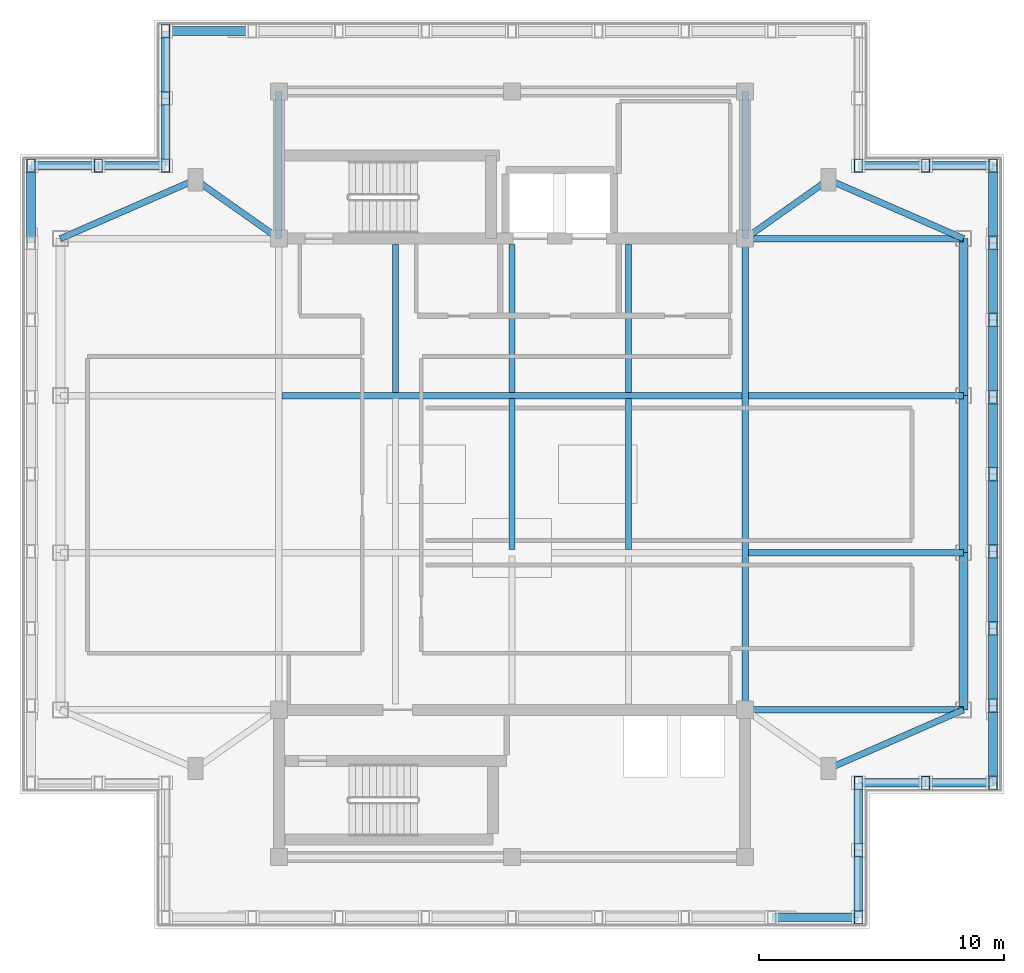
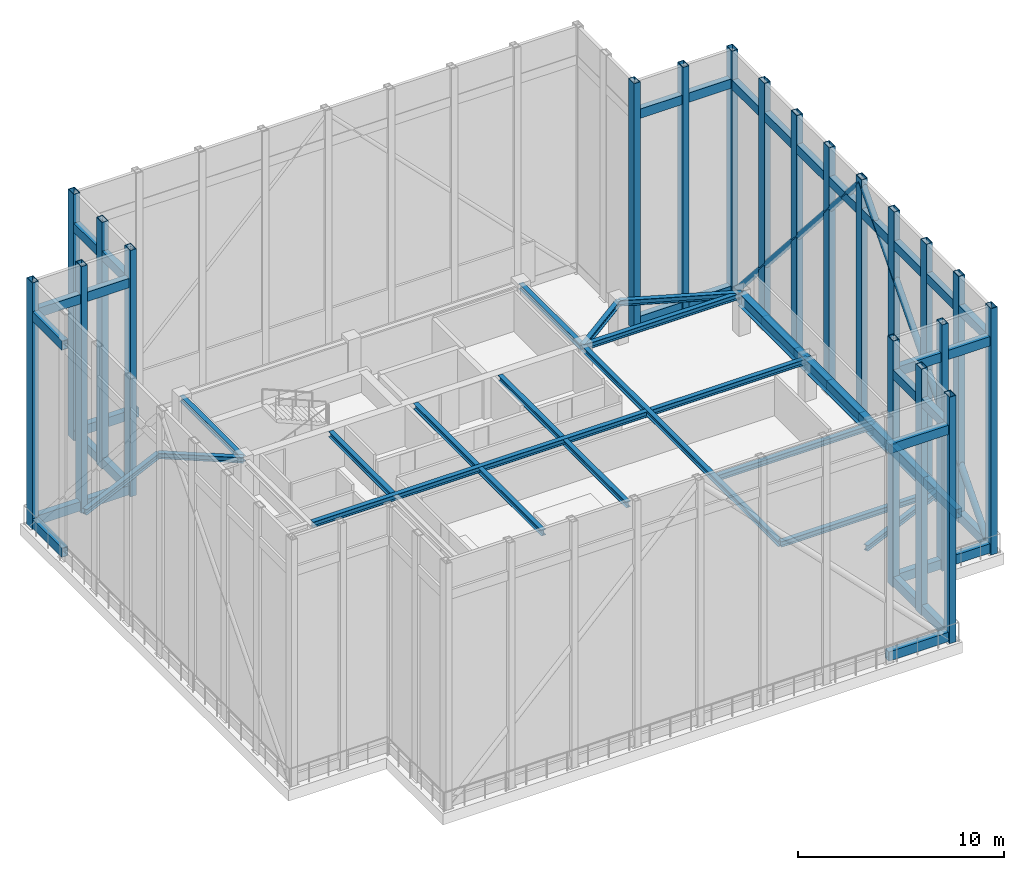
# One storey, part 2 of 8: 63 members, 21 beams.
"""IFC4 building model written with IfcOpenShell, lengths in metres."""

from ifc_helpers import new_model, si_unit, direction, frame, origin, origin_2d, place, context, subcontext, project, spatial, hollow_rectangle, hollow_circle, i_section, extrude, material, material_profile, profile_set, type_object, element, save


model = new_model("IFC4")

# Units and contexts
model_context = context("Model", 3, precision=1e-05, world=origin(), true_north=direction((0.0, 1.0)))
body_context = subcontext(model_context, "Body", "Model", "MODEL_VIEW")
ifc_project = project(units=[si_unit("LENGTHUNIT", "METRE"), si_unit("AREAUNIT", "SQUARE_METRE"), si_unit("VOLUMEUNIT", "CUBIC_METRE"), si_unit("PLANEANGLEUNIT", "RADIAN"), si_unit("MASSUNIT", "GRAM", prefix="KILO")], contexts=[model_context])

# Site, building, storey
site_placement = place(None, origin())
site = spatial("IfcSite", under=ifc_project, at=site_placement, CompositionType="ELEMENT")
building_placement = place(site_placement, origin())
building = spatial("IfcBuilding", under=site, at=building_placement, Name="Mirazonda Arch Towers", CompositionType="ELEMENT")
storey_placement = place(building_placement, frame((0.0, 0.0, 263.5)))
storey = spatial("IfcBuildingStorey", under=building, at=storey_placement, Name="L75", CompositionType="ELEMENT", Elevation=263.5)

# Beams
ifc_material_1 = material(Name="Steel ASTM A992 Grade 50", Category="steel")
ifc_material_profile_1 = material_profile(ifc_material_1, i_section(OverallWidth=0.381103515625, OverallDepth=0.77294921875, WebThickness=0.0166015625, FlangeThickness=0.027099609375, at=origin_2d()), Name="W30X173")
ifc_profile_set_1 = profile_set([ifc_material_profile_1], Name="Steel ASTM A992 Grade 50")
beam_type_1 = type_object("IfcBeamType", Name="BM-EXT-W30X173", PredefinedType="USERDEFINED", material=ifc_profile_set_1)
beam_1_placement = place(storey_placement, frame((38.89990234375, 18.39990234375, 1.993408203125), z_axis=(0.0, 1.0, 0.0), x_axis=(-1.0, 0.0, 0.0)))
element("IfcBeam", 1, at=beam_1_placement, inside=storey, type_object=beam_type_1, Name="L75 Floor Beam BMC-T1-L75-NS-E-18", ObjectType="GIRDER", PredefinedType="USERDEFINED", context=body_context, shape_type="SweptSolid", body=[
    extrude(i_section(OverallWidth=0.381103515625, OverallDepth=0.77294921875, WebThickness=0.0166015625, FlangeThickness=0.027099609375, at=origin_2d()), origin(), (0.0, 0.0, 1.0), 6.400146484375),
])
beam_2_placement = place(storey_placement, frame((38.89990234375, 24.800048828125, 1.993408203125), z_axis=(0.0, 1.0, 0.0), x_axis=(-1.0, 0.0, 0.0)))
element("IfcBeam", 2, at=beam_2_placement, inside=storey, type_object=beam_type_1, Name="L75 Floor Beam BMC-T1-L75-NS-E-24", ObjectType="GIRDER", PredefinedType="USERDEFINED", context=body_context, shape_type="SweptSolid", body=[
    extrude(i_section(OverallWidth=0.381103515625, OverallDepth=0.77294921875, WebThickness=0.0166015625, FlangeThickness=0.027099609375, at=origin_2d()), origin(), (0.0, 0.0, 1.0), 6.39990234375),
])
beam_3_placement = place(storey_placement, frame((38.89990234375, 31.199951171875, 1.993408203125), z_axis=(0.0, 1.0, 0.0), x_axis=(-1.0, 0.0, 0.0)))
element("IfcBeam", 3, at=beam_3_placement, inside=storey, type_object=beam_type_1, Name="L75 Floor Beam BMC-T1-L75-NS-E-31", ObjectType="GIRDER", PredefinedType="USERDEFINED", context=body_context, shape_type="SweptSolid", body=[
    extrude(i_section(OverallWidth=0.381103515625, OverallDepth=0.77294921875, WebThickness=0.0166015625, FlangeThickness=0.027099609375, at=origin_2d()), origin(), (0.0, 0.0, 1.0), 6.400146484375),
])
ifc_material_profile_2 = material_profile(ifc_material_1, i_section(OverallWidth=0.257080078125, OverallDepth=0.330078125, WebThickness=0.011962890625, FlangeThickness=0.01953125, at=origin_2d()), Name="W10X68")
ifc_profile_set_2 = profile_set([ifc_material_profile_2], Name="Steel ASTM A992 Grade 50")
beam_type_2 = type_object("IfcBeamType", Name="BM-INT-W10X68", PredefinedType="BEAM", material=ifc_profile_set_2)
for number, where, z_axis, x_axis, name in (
    (4, (30.0, 37.60009765625, 2.215087890625), (1.0, 0.0, 0.0), (0.0, 1.0, 0.0), "L75 Floor Beam CBC-T1-L75-NE"),
    (5, (30.0, 18.39990234375, 2.215087890625), (1.0, 0.0, 0.0), (0.0, 1.0, 0.0), "L75 Floor Beam CBC-T1-L75-SE"),
):
    element("IfcBeam", number, at=place(storey_placement, frame(where, z_axis=z_axis, x_axis=x_axis)), inside=storey, type_object=beam_type_2, Name=name, PredefinedType="BEAM", context=body_context, shape_type="SweptSolid", body=[
        extrude(i_section(OverallWidth=0.257080078125, OverallDepth=0.330078125, WebThickness=0.011962890625, FlangeThickness=0.01953125, at=origin_2d()), origin(), (0.0, 0.0, 1.0), 8.89990234375),
    ])
beam_4_placement = place(storey_placement, frame((30.12841796875, 24.800048828125, 2.215087890625), z_axis=(1.0, 0.0, 0.0), x_axis=(0.0, 1.0, 0.0)))
element("IfcBeam", 6, at=beam_4_placement, inside=storey, type_object=beam_type_2, Name="L75 Floor Beam BMC-T1-L75-GE2", PredefinedType="BEAM", context=body_context, shape_type="SweptSolid", body=[
    extrude(i_section(OverallWidth=0.257080078125, OverallDepth=0.330078125, WebThickness=0.011962890625, FlangeThickness=0.01953125, at=origin_2d()), origin(), (0.0, 0.0, 1.0), 8.771484375),
])
beam_5_placement = place(storey_placement, frame((11.12841796875, 31.199951171875, 2.215087890625), z_axis=(1.0, 0.0, 0.0), x_axis=(0.0, 1.0, 0.0)))
element("IfcBeam", 7, at=beam_5_placement, inside=storey, type_object=beam_type_2, Name="L75 Floor Beam BMC-T1-L75-GC3", PredefinedType="BEAM", context=body_context, shape_type="SweptSolid", body=[
    extrude(i_section(OverallWidth=0.257080078125, OverallDepth=0.330078125, WebThickness=0.011962890625, FlangeThickness=0.01953125, at=origin_2d()), origin(), (0.0, 0.0, 1.0), 18.7431640625),
])
beam_6_placement = place(storey_placement, frame((30.12841796875, 31.199951171875, 2.215087890625), z_axis=(1.0, 0.0, 0.0), x_axis=(0.0, 1.0, 0.0)))
element("IfcBeam", 8, at=beam_6_placement, inside=storey, type_object=beam_type_2, Name="L75 Floor Beam BMC-T1-L75-GE3", PredefinedType="BEAM", context=body_context, shape_type="SweptSolid", body=[
    extrude(i_section(OverallWidth=0.257080078125, OverallDepth=0.330078125, WebThickness=0.011962890625, FlangeThickness=0.01953125, at=origin_2d()), origin(), (0.0, 0.0, 1.0), 8.771484375),
])
for number, where, z_axis, x_axis, name in (
    (9, (11.0, 37.60009765625, 2.215087890625), (0.0, 1.0, 0.0), (-1.0, 0.0, 0.0), "L75 Floor Beam BMC-T1-L75-CNW"),
    (10, (30.0, 37.60009765625, 2.215087890625), (0.0, 1.0, 0.0), (-1.0, 0.0, 0.0), "L75 Floor Beam BMC-T1-L75-CNE"),
):
    element("IfcBeam", number, at=place(storey_placement, frame(where, z_axis=z_axis, x_axis=x_axis)), inside=storey, type_object=beam_type_2, Name=name, PredefinedType="BEAM", context=body_context, shape_type="SweptSolid", body=[
        extrude(i_section(OverallWidth=0.257080078125, OverallDepth=0.330078125, WebThickness=0.011962890625, FlangeThickness=0.01953125, at=origin_2d()), origin(), (0.0, 0.0, 1.0), 6.0),
    ])
beam_7_placement = place(storey_placement, frame((30.0, 18.39990234375, 2.215087890625), z_axis=(0.0, 1.0, 0.0), x_axis=(-1.0, 0.0, 0.0)))
element("IfcBeam", 11, at=beam_7_placement, inside=storey, type_object=beam_type_2, Name="L75 Floor Beam BMC-T1-L75-NS-CE-FULL", PredefinedType="BEAM", context=body_context, shape_type="SweptSolid", body=[
    extrude(i_section(OverallWidth=0.257080078125, OverallDepth=0.330078125, WebThickness=0.011962890625, FlangeThickness=0.01953125, at=origin_2d()), origin(), (0.0, 0.0, 1.0), 19.2001953125),
])
beam_8_placement = place(storey_placement, frame((33.39990234375, 16.0, 2.215087890625), z_axis=(0.916545343703, 0.399930785183, 0.0), x_axis=(-0.399930785183, 0.916545343703, 0.0)))
element("IfcBeam", 12, at=beam_8_placement, inside=storey, type_object=beam_type_2, Name="L75 Floor Beam BMC-T1-L75-PL-SE2", PredefinedType="BEAM", context=body_context, shape_type="SweptSolid", body=[
    extrude(i_section(OverallWidth=0.257080078125, OverallDepth=0.330078125, WebThickness=0.011962890625, FlangeThickness=0.01953125, at=origin_2d()), origin(), (0.0, 0.0, 1.0), 6.000732421875),
])
beam_9_placement = place(storey_placement, frame((7.60009765625, 40.0, 2.215087890625), z_axis=(0.816971114901, -0.576678591087, 0.0), x_axis=(0.576678591087, 0.816971114901, 0.0)))
element("IfcBeam", 13, at=beam_9_placement, inside=storey, type_object=beam_type_2, Name="L75 Floor Beam BMC-T1-L75-PL-NW1", PredefinedType="BEAM", context=body_context, shape_type="SweptSolid", body=[
    extrude(i_section(OverallWidth=0.257080078125, OverallDepth=0.330078125, WebThickness=0.011962890625, FlangeThickness=0.01953125, at=origin_2d()), origin(), (0.0, 0.0, 1.0), 4.16162109375),
])
beam_10_placement = place(storey_placement, frame((7.60009765625, 40.0, 2.215087890625), z_axis=(-0.916545343703, -0.399930785183, 0.0), x_axis=(0.399930785183, -0.916545343703, 0.0)))
element("IfcBeam", 14, at=beam_10_placement, inside=storey, type_object=beam_type_2, Name="L75 Floor Beam BMC-T1-L75-PL-NW2", PredefinedType="BEAM", context=body_context, shape_type="SweptSolid", body=[
    extrude(i_section(OverallWidth=0.257080078125, OverallDepth=0.330078125, WebThickness=0.011962890625, FlangeThickness=0.01953125, at=origin_2d()), origin(), (0.0, 0.0, 1.0), 6.000732421875),
])
beam_11_placement = place(storey_placement, frame((33.39990234375, 40.0, 2.215087890625), z_axis=(-0.816971114901, -0.576678591087, 0.0), x_axis=(0.576678591087, -0.816971114901, 0.0)))
element("IfcBeam", 15, at=beam_11_placement, inside=storey, type_object=beam_type_2, Name="L75 Floor Beam BMC-T1-L75-PL-NE1", PredefinedType="BEAM", context=body_context, shape_type="SweptSolid", body=[
    extrude(i_section(OverallWidth=0.257080078125, OverallDepth=0.330078125, WebThickness=0.011962890625, FlangeThickness=0.01953125, at=origin_2d()), origin(), (0.0, 0.0, 1.0), 4.16162109375),
])
beam_12_placement = place(storey_placement, frame((33.39990234375, 40.0, 2.215087890625), z_axis=(0.916545343703, -0.399930785183, 0.0), x_axis=(0.399930785183, 0.916545343703, 0.0)))
element("IfcBeam", 16, at=beam_12_placement, inside=storey, type_object=beam_type_2, Name="L75 Floor Beam BMC-T1-L75-PL-NE2", PredefinedType="BEAM", context=body_context, shape_type="SweptSolid", body=[
    extrude(i_section(OverallWidth=0.257080078125, OverallDepth=0.330078125, WebThickness=0.011962890625, FlangeThickness=0.01953125, at=origin_2d()), origin(), (0.0, 0.0, 1.0), 6.000732421875),
])
for number, where, z_axis, x_axis, name in (
    (17, (15.75, 31.324462890625, 2.215087890625), (0.0, 1.0, 0.0), (-1.0, 0.0, 0.0), "L75 Floor Beam BMC-T1-L75-J-157-31"),
    (18, (20.5, 31.324462890625, 2.215087890625), (0.0, 1.0, 0.0), (-1.0, 0.0, 0.0), "L75 Floor Beam BMC-T1-L75-J-205-31"),
):
    element("IfcBeam", number, at=place(storey_placement, frame(where, z_axis=z_axis, x_axis=x_axis)), inside=storey, type_object=beam_type_2, Name=name, PredefinedType="BEAM", context=body_context, shape_type="SweptSolid", body=[
        extrude(i_section(OverallWidth=0.257080078125, OverallDepth=0.330078125, WebThickness=0.011962890625, FlangeThickness=0.01953125, at=origin_2d()), origin(), (0.0, 0.0, 1.0), 6.03564453125),
    ])
beam_13_placement = place(storey_placement, frame((20.5, 24.924560546875, 2.215087890625), z_axis=(0.0, 1.0, 0.0), x_axis=(-1.0, 0.0, 0.0)))
element("IfcBeam", 19, at=beam_13_placement, inside=storey, type_object=beam_type_2, Name="L75 Floor Beam BMC-T1-L75-J-205-24", PredefinedType="BEAM", context=body_context, shape_type="SweptSolid", body=[
    extrude(i_section(OverallWidth=0.257080078125, OverallDepth=0.330078125, WebThickness=0.011962890625, FlangeThickness=0.01953125, at=origin_2d()), origin(), (0.0, 0.0, 1.0), 6.15087890625),
])
beam_14_placement = place(storey_placement, frame((25.25, 31.324462890625, 2.215087890625), z_axis=(0.0, 1.0, 0.0), x_axis=(-1.0, 0.0, 0.0)))
element("IfcBeam", 20, at=beam_14_placement, inside=storey, type_object=beam_type_2, Name="L75 Floor Beam BMC-T1-L75-J-252-31", PredefinedType="BEAM", context=body_context, shape_type="SweptSolid", body=[
    extrude(i_section(OverallWidth=0.257080078125, OverallDepth=0.330078125, WebThickness=0.011962890625, FlangeThickness=0.01953125, at=origin_2d()), origin(), (0.0, 0.0, 1.0), 6.03564453125),
])
beam_15_placement = place(storey_placement, frame((25.25, 24.924560546875, 2.215087890625), z_axis=(0.0, 1.0, 0.0), x_axis=(-1.0, 0.0, 0.0)))
element("IfcBeam", 21, at=beam_15_placement, inside=storey, type_object=beam_type_2, Name="L75 Floor Beam BMC-T1-L75-J-252-24", PredefinedType="BEAM", context=body_context, shape_type="SweptSolid", body=[
    extrude(i_section(OverallWidth=0.257080078125, OverallDepth=0.330078125, WebThickness=0.011962890625, FlangeThickness=0.01953125, at=origin_2d()), origin(), (0.0, 0.0, 1.0), 6.15087890625),
])

# Members
ifc_material_2 = material(Name="Steel ASTM A572 Grade 50", Category="steel")
ifc_material_profile_3 = material_profile(ifc_material_2, hollow_circle(Radius=0.177978515625, WallThickness=0.01611328125, at=origin_2d()), Name="CROWNBRACE356x16CHS")
ifc_profile_set_3 = profile_set([ifc_material_profile_3], Name="Steel ASTM A572 Grade 50")
member_type_1 = type_object("IfcMemberType", Name="MBR-EXT-CROWNBRACE356x16CHS", PredefinedType="BRACE", material=ifc_profile_set_3)
for number, where, z_axis, x_axis, name in (
    (22, (40.10009765625, 15.425048828125, 0.02001953125), (0.0, 0.66035877839, 0.750950253881), (-1.0, 0.0, 0.0), "T1 Ring Crown Diagonal Brace 2A"),
    (23, (40.10009765625, 40.574951171875, 0.02001953125), (0.0, -0.66035877839, 0.750950253881), (1.0, 0.0, 0.0), "T1 Ring Crown Diagonal Brace 2B"),
):
    element("IfcMember", number, at=place(storey_placement, frame(where, z_axis=z_axis, x_axis=x_axis)), inside=storey, type_object=member_type_1, Name=name, PredefinedType="BRACE", context=body_context, shape_type="SweptSolid", body=[
        extrude(hollow_circle(Radius=0.177978515625, WallThickness=0.01611328125, at=origin_2d()), origin(), (0.0, 0.0, 1.0), 19.042724609375),
    ])
ifc_material_profile_4 = material_profile(ifc_material_2, hollow_rectangle(XDim=0.35009765625, YDim=0.550048828125, WallThickness=0.030029296875, at=origin_2d()), Name="CROWNFRAME550x350x30")
ifc_profile_set_4 = profile_set([ifc_material_profile_4], Name="Steel ASTM A572 Grade 50")
member_type_2 = type_object("IfcMemberType", Name="MBR-EXT-CROWNFRAME550x350x30", PredefinedType="USERDEFINED", material=ifc_profile_set_4)
for number, where, z_axis, x_axis, name in (
    (24, (34.614990234375, 9.93994140625, 0.0), (0.0, 0.0, 1.0), (1.0, 0.0, 0.0), "T1 Constructivist Ring Crown Post 09"),
    (25, (34.614990234375, 12.6826171875, 0.0), (0.0, 0.0, 1.0), (1.0, 0.0, 0.0), "T1 Constructivist Ring Crown Post 10"),
    (26, (34.614990234375, 15.425048828125, 0.0), (0.0, 0.0, 1.0), (1.0, 0.0, 0.0), "T1 Constructivist Ring Crown Post 11"),
    (27, (37.357421875, 15.425048828125, 0.0), (0.0, 0.0, 1.0), (1.0, 0.0, 0.0), "T1 Constructivist Ring Crown Post 12"),
    (28, (40.10009765625, 15.425048828125, 0.0), (0.0, 0.0, 1.0), (1.0, 0.0, 0.0), "T1 Constructivist Ring Crown Post 13"),
    (29, (40.10009765625, 18.56884765625, 0.0), (0.0, 0.0, 1.0), (1.0, 0.0, 0.0), "T1 Constructivist Ring Crown Post 14"),
    (30, (40.10009765625, 21.71240234375, 0.0), (0.0, 0.0, 1.0), (1.0, 0.0, 0.0), "T1 Constructivist Ring Crown Post 15"),
    (31, (40.10009765625, 24.856201171875, 0.0), (0.0, 0.0, 1.0), (1.0, 0.0, 0.0), "T1 Constructivist Ring Crown Post 16"),
    (32, (40.10009765625, 28.0, 0.0), (0.0, 0.0, 1.0), (1.0, 0.0, 0.0), "T1 Constructivist Ring Crown Post 17"),
    (33, (40.10009765625, 31.143798828125, 0.0), (0.0, 0.0, 1.0), (1.0, 0.0, 0.0), "T1 Constructivist Ring Crown Post 18"),
    (34, (40.10009765625, 34.28759765625, 0.0), (0.0, 0.0, 1.0), (1.0, 0.0, 0.0), "T1 Constructivist Ring Crown Post 19"),
    (35, (40.10009765625, 37.431396484375, 0.0), (0.0, 0.0, 1.0), (1.0, 0.0, 0.0), "T1 Constructivist Ring Crown Post 20"),
    (36, (40.10009765625, 40.574951171875, 0.0), (0.0, 0.0, 1.0), (1.0, 0.0, 0.0), "T1 Constructivist Ring Crown Post 21"),
    (37, (37.357421875, 40.574951171875, 0.0), (0.0, 0.0, 1.0), (1.0, 0.0, 0.0), "T1 Constructivist Ring Crown Post 22"),
    (38, (34.614990234375, 40.574951171875, 0.0), (0.0, 0.0, 1.0), (1.0, 0.0, 0.0), "T1 Constructivist Ring Crown Post 23"),
    (39, (6.385009765625, 46.06005859375, 0.0), (0.0, 0.0, 1.0), (1.0, 0.0, 0.0), "T1 Constructivist Ring Crown Post 33"),
    (40, (6.385009765625, 43.3173828125, 0.0), (0.0, 0.0, 1.0), (1.0, 0.0, 0.0), "T1 Constructivist Ring Crown Post 34"),
    (41, (6.385009765625, 40.574951171875, 0.0), (0.0, 0.0, 1.0), (1.0, 0.0, 0.0), "T1 Constructivist Ring Crown Post 35"),
    (42, (3.642578125, 40.574951171875, 0.0), (0.0, 0.0, 1.0), (1.0, 0.0, 0.0), "T1 Constructivist Ring Crown Post 36"),
    (43, (0.89990234375, 40.574951171875, 0.0), (0.0, 0.0, 1.0), (1.0, 0.0, 0.0), "T1 Constructivist Ring Crown Post 37"),
):
    element("IfcMember", number, at=place(storey_placement, frame(where, z_axis=z_axis, x_axis=x_axis)), inside=storey, type_object=member_type_2, Name=name, ObjectType="CROWN FRAME", PredefinedType="USERDEFINED", context=body_context, shape_type="SweptSolid", body=[
        extrude(hollow_rectangle(XDim=0.35009765625, YDim=0.550048828125, WallThickness=0.030029296875, at=origin_2d()), origin(), (0.0, 0.0, 1.0), 14.60009765625),
    ])
member_1_placement = place(storey_placement, frame((31.086181640625, 9.93994140625, 0.35009765625), z_axis=(1.0, 0.0, 0.0), x_axis=(0.0, 1.0, 0.0)))
element("IfcMember", 44, at=member_1_placement, inside=storey, type_object=member_type_2, Name="T1 Ring Crown Cap Beam 1-08", ObjectType="CROWN FRAME", PredefinedType="USERDEFINED", context=body_context, shape_type="SweptSolid", body=[
    extrude(hollow_rectangle(XDim=0.35009765625, YDim=0.550048828125, WallThickness=0.030029296875, at=origin_2d()), origin(), (0.0, 0.0, 1.0), 3.52880859375),
])
member_2_placement = place(storey_placement, frame((34.614990234375, 9.93994140625, 0.35009765625), z_axis=(0.0, 1.0, 0.0), x_axis=(-1.0, 0.0, 0.0)))
element("IfcMember", 45, at=member_2_placement, inside=storey, type_object=member_type_2, Name="T1 Ring Crown Cap Beam 1-09", ObjectType="CROWN FRAME", PredefinedType="USERDEFINED", context=body_context, shape_type="SweptSolid", body=[
    extrude(hollow_rectangle(XDim=0.35009765625, YDim=0.550048828125, WallThickness=0.030029296875, at=origin_2d()), origin(), (0.0, 0.0, 1.0), 2.74267578125),
])
for number, where, z_axis, x_axis, name in (
    (46, (34.614990234375, 12.6826171875, 0.35009765625), (0.0, 1.0, 0.0), (-1.0, 0.0, 0.0), "T1 Ring Crown Cap Beam 1-10"),
    (47, (34.614990234375, 15.425048828125, 0.35009765625), (1.0, 0.0, 0.0), (0.0, 1.0, 0.0), "T1 Ring Crown Cap Beam 1-11"),
):
    element("IfcMember", number, at=place(storey_placement, frame(where, z_axis=z_axis, x_axis=x_axis)), inside=storey, type_object=member_type_2, Name=name, ObjectType="CROWN FRAME", PredefinedType="USERDEFINED", context=body_context, shape_type="SweptSolid", body=[
        extrude(hollow_rectangle(XDim=0.35009765625, YDim=0.550048828125, WallThickness=0.030029296875, at=origin_2d()), origin(), (0.0, 0.0, 1.0), 2.742431640625),
    ])
member_3_placement = place(storey_placement, frame((37.357421875, 15.425048828125, 0.35009765625), z_axis=(1.0, 0.0, 0.0), x_axis=(0.0, 1.0, 0.0)))
element("IfcMember", 48, at=member_3_placement, inside=storey, type_object=member_type_2, Name="T1 Ring Crown Cap Beam 1-12", ObjectType="CROWN FRAME", PredefinedType="USERDEFINED", context=body_context, shape_type="SweptSolid", body=[
    extrude(hollow_rectangle(XDim=0.35009765625, YDim=0.550048828125, WallThickness=0.030029296875, at=origin_2d()), origin(), (0.0, 0.0, 1.0), 2.74267578125),
])
member_4_placement = place(storey_placement, frame((40.10009765625, 15.425048828125, 0.35009765625), z_axis=(0.0, 1.0, 0.0), x_axis=(-1.0, 0.0, 0.0)))
element("IfcMember", 49, at=member_4_placement, inside=storey, type_object=member_type_2, Name="T1 Ring Crown Cap Beam 1-13", ObjectType="CROWN FRAME", PredefinedType="USERDEFINED", context=body_context, shape_type="SweptSolid", body=[
    extrude(hollow_rectangle(XDim=0.35009765625, YDim=0.550048828125, WallThickness=0.030029296875, at=origin_2d()), origin(), (0.0, 0.0, 1.0), 3.143798828125),
])
member_5_placement = place(storey_placement, frame((40.10009765625, 18.56884765625, 0.35009765625), z_axis=(0.0, 1.0, 0.0), x_axis=(-1.0, 0.0, 0.0)))
element("IfcMember", 50, at=member_5_placement, inside=storey, type_object=member_type_2, Name="T1 Ring Crown Cap Beam 1-14", ObjectType="CROWN FRAME", PredefinedType="USERDEFINED", context=body_context, shape_type="SweptSolid", body=[
    extrude(hollow_rectangle(XDim=0.35009765625, YDim=0.550048828125, WallThickness=0.030029296875, at=origin_2d()), origin(), (0.0, 0.0, 1.0), 3.1435546875),
])
for number, where, z_axis, x_axis, name in (
    (51, (40.10009765625, 21.71240234375, 0.35009765625), (0.0, 1.0, 0.0), (-1.0, 0.0, 0.0), "T1 Ring Crown Cap Beam 1-15"),
    (52, (40.10009765625, 24.856201171875, 0.35009765625), (0.0, 1.0, 0.0), (-1.0, 0.0, 0.0), "T1 Ring Crown Cap Beam 1-16"),
    (53, (40.10009765625, 28.0, 0.35009765625), (0.0, 1.0, 0.0), (-1.0, 0.0, 0.0), "T1 Ring Crown Cap Beam 1-17"),
    (54, (40.10009765625, 31.143798828125, 0.35009765625), (0.0, 1.0, 0.0), (-1.0, 0.0, 0.0), "T1 Ring Crown Cap Beam 1-18"),
    (55, (40.10009765625, 34.28759765625, 0.35009765625), (0.0, 1.0, 0.0), (-1.0, 0.0, 0.0), "T1 Ring Crown Cap Beam 1-19"),
):
    element("IfcMember", number, at=place(storey_placement, frame(where, z_axis=z_axis, x_axis=x_axis)), inside=storey, type_object=member_type_2, Name=name, ObjectType="CROWN FRAME", PredefinedType="USERDEFINED", context=body_context, shape_type="SweptSolid", body=[
        extrude(hollow_rectangle(XDim=0.35009765625, YDim=0.550048828125, WallThickness=0.030029296875, at=origin_2d()), origin(), (0.0, 0.0, 1.0), 3.143798828125),
    ])
member_6_placement = place(storey_placement, frame((40.10009765625, 37.431396484375, 0.35009765625), z_axis=(0.0, 1.0, 0.0), x_axis=(-1.0, 0.0, 0.0)))
element("IfcMember", 56, at=member_6_placement, inside=storey, type_object=member_type_2, Name="T1 Ring Crown Cap Beam 1-20", ObjectType="CROWN FRAME", PredefinedType="USERDEFINED", context=body_context, shape_type="SweptSolid", body=[
    extrude(hollow_rectangle(XDim=0.35009765625, YDim=0.550048828125, WallThickness=0.030029296875, at=origin_2d()), origin(), (0.0, 0.0, 1.0), 3.1435546875),
])
member_7_placement = place(storey_placement, frame((40.10009765625, 40.574951171875, 0.35009765625), z_axis=(-1.0, 0.0, 0.0), x_axis=(0.0, -1.0, 0.0)))
element("IfcMember", 57, at=member_7_placement, inside=storey, type_object=member_type_2, Name="T1 Ring Crown Cap Beam 1-21", ObjectType="CROWN FRAME", PredefinedType="USERDEFINED", context=body_context, shape_type="SweptSolid", body=[
    extrude(hollow_rectangle(XDim=0.35009765625, YDim=0.550048828125, WallThickness=0.030029296875, at=origin_2d()), origin(), (0.0, 0.0, 1.0), 2.74267578125),
])
member_8_placement = place(storey_placement, frame((37.357421875, 40.574951171875, 0.35009765625), z_axis=(-1.0, 0.0, 0.0), x_axis=(0.0, -1.0, 0.0)))
element("IfcMember", 58, at=member_8_placement, inside=storey, type_object=member_type_2, Name="T1 Ring Crown Cap Beam 1-22", ObjectType="CROWN FRAME", PredefinedType="USERDEFINED", context=body_context, shape_type="SweptSolid", body=[
    extrude(hollow_rectangle(XDim=0.35009765625, YDim=0.550048828125, WallThickness=0.030029296875, at=origin_2d()), origin(), (0.0, 0.0, 1.0), 2.742431640625),
])
member_9_placement = place(storey_placement, frame((9.913818359375, 46.06005859375, 0.35009765625), z_axis=(-1.0, 0.0, 0.0), x_axis=(0.0, -1.0, 0.0)))
element("IfcMember", 59, at=member_9_placement, inside=storey, type_object=member_type_2, Name="T1 Ring Crown Cap Beam 1-32", ObjectType="CROWN FRAME", PredefinedType="USERDEFINED", context=body_context, shape_type="SweptSolid", body=[
    extrude(hollow_rectangle(XDim=0.35009765625, YDim=0.550048828125, WallThickness=0.030029296875, at=origin_2d()), origin(), (0.0, 0.0, 1.0), 3.52880859375),
])
member_10_placement = place(storey_placement, frame((6.385009765625, 46.06005859375, 0.35009765625), z_axis=(0.0, -1.0, 0.0), x_axis=(1.0, 0.0, 0.0)))
element("IfcMember", 60, at=member_10_placement, inside=storey, type_object=member_type_2, Name="T1 Ring Crown Cap Beam 1-33", ObjectType="CROWN FRAME", PredefinedType="USERDEFINED", context=body_context, shape_type="SweptSolid", body=[
    extrude(hollow_rectangle(XDim=0.35009765625, YDim=0.550048828125, WallThickness=0.030029296875, at=origin_2d()), origin(), (0.0, 0.0, 1.0), 2.74267578125),
])
for number, where, z_axis, x_axis, name in (
    (61, (6.385009765625, 43.3173828125, 0.35009765625), (0.0, -1.0, 0.0), (1.0, 0.0, 0.0), "T1 Ring Crown Cap Beam 1-34"),
    (62, (6.385009765625, 40.574951171875, 0.35009765625), (-1.0, 0.0, 0.0), (0.0, -1.0, 0.0), "T1 Ring Crown Cap Beam 1-35"),
):
    element("IfcMember", number, at=place(storey_placement, frame(where, z_axis=z_axis, x_axis=x_axis)), inside=storey, type_object=member_type_2, Name=name, ObjectType="CROWN FRAME", PredefinedType="USERDEFINED", context=body_context, shape_type="SweptSolid", body=[
        extrude(hollow_rectangle(XDim=0.35009765625, YDim=0.550048828125, WallThickness=0.030029296875, at=origin_2d()), origin(), (0.0, 0.0, 1.0), 2.742431640625),
    ])
member_11_placement = place(storey_placement, frame((3.642578125, 40.574951171875, 0.35009765625), z_axis=(-1.0, 0.0, 0.0), x_axis=(0.0, -1.0, 0.0)))
element("IfcMember", 63, at=member_11_placement, inside=storey, type_object=member_type_2, Name="T1 Ring Crown Cap Beam 1-36", ObjectType="CROWN FRAME", PredefinedType="USERDEFINED", context=body_context, shape_type="SweptSolid", body=[
    extrude(hollow_rectangle(XDim=0.35009765625, YDim=0.550048828125, WallThickness=0.030029296875, at=origin_2d()), origin(), (0.0, 0.0, 1.0), 2.74267578125),
])
member_12_placement = place(storey_placement, frame((0.89990234375, 40.574951171875, 0.35009765625), z_axis=(0.0, -1.0, 0.0), x_axis=(1.0, 0.0, 0.0)))
element("IfcMember", 64, at=member_12_placement, inside=storey, type_object=member_type_2, Name="T1 Ring Crown Cap Beam 1-37", ObjectType="CROWN FRAME", PredefinedType="USERDEFINED", context=body_context, shape_type="SweptSolid", body=[
    extrude(hollow_rectangle(XDim=0.35009765625, YDim=0.550048828125, WallThickness=0.030029296875, at=origin_2d()), origin(), (0.0, 0.0, 1.0), 3.1435546875),
])
member_13_placement = place(storey_placement, frame((31.086181640625, 9.93994140625, 12.6201171875), z_axis=(1.0, 0.0, 0.0), x_axis=(0.0, 1.0, 0.0)))
element("IfcMember", 65, at=member_13_placement, inside=storey, type_object=member_type_2, Name="T1 Ring Crown Cap Beam 2-08", ObjectType="CROWN FRAME", PredefinedType="USERDEFINED", context=body_context, shape_type="SweptSolid", body=[
    extrude(hollow_rectangle(XDim=0.35009765625, YDim=0.550048828125, WallThickness=0.030029296875, at=origin_2d()), origin(), (0.0, 0.0, 1.0), 3.52880859375),
])
member_14_placement = place(storey_placement, frame((34.614990234375, 9.93994140625, 12.6201171875), z_axis=(0.0, 1.0, 0.0), x_axis=(-1.0, 0.0, 0.0)))
element("IfcMember", 66, at=member_14_placement, inside=storey, type_object=member_type_2, Name="T1 Ring Crown Cap Beam 2-09", ObjectType="CROWN FRAME", PredefinedType="USERDEFINED", context=body_context, shape_type="SweptSolid", body=[
    extrude(hollow_rectangle(XDim=0.35009765625, YDim=0.550048828125, WallThickness=0.030029296875, at=origin_2d()), origin(), (0.0, 0.0, 1.0), 2.74267578125),
])
for number, where, z_axis, x_axis, name in (
    (67, (34.614990234375, 12.6826171875, 12.6201171875), (0.0, 1.0, 0.0), (-1.0, 0.0, 0.0), "T1 Ring Crown Cap Beam 2-10"),
    (68, (34.614990234375, 15.425048828125, 12.6201171875), (1.0, 0.0, 0.0), (0.0, 1.0, 0.0), "T1 Ring Crown Cap Beam 2-11"),
):
    element("IfcMember", number, at=place(storey_placement, frame(where, z_axis=z_axis, x_axis=x_axis)), inside=storey, type_object=member_type_2, Name=name, ObjectType="CROWN FRAME", PredefinedType="USERDEFINED", context=body_context, shape_type="SweptSolid", body=[
        extrude(hollow_rectangle(XDim=0.35009765625, YDim=0.550048828125, WallThickness=0.030029296875, at=origin_2d()), origin(), (0.0, 0.0, 1.0), 2.742431640625),
    ])
member_15_placement = place(storey_placement, frame((37.357421875, 15.425048828125, 12.6201171875), z_axis=(1.0, 0.0, 0.0), x_axis=(0.0, 1.0, 0.0)))
element("IfcMember", 69, at=member_15_placement, inside=storey, type_object=member_type_2, Name="T1 Ring Crown Cap Beam 2-12", ObjectType="CROWN FRAME", PredefinedType="USERDEFINED", context=body_context, shape_type="SweptSolid", body=[
    extrude(hollow_rectangle(XDim=0.35009765625, YDim=0.550048828125, WallThickness=0.030029296875, at=origin_2d()), origin(), (0.0, 0.0, 1.0), 2.74267578125),
])
member_16_placement = place(storey_placement, frame((40.10009765625, 15.425048828125, 12.6201171875), z_axis=(0.0, 1.0, 0.0), x_axis=(-1.0, 0.0, 0.0)))
element("IfcMember", 70, at=member_16_placement, inside=storey, type_object=member_type_2, Name="T1 Ring Crown Cap Beam 2-13", ObjectType="CROWN FRAME", PredefinedType="USERDEFINED", context=body_context, shape_type="SweptSolid", body=[
    extrude(hollow_rectangle(XDim=0.35009765625, YDim=0.550048828125, WallThickness=0.030029296875, at=origin_2d()), origin(), (0.0, 0.0, 1.0), 3.143798828125),
])
member_17_placement = place(storey_placement, frame((40.10009765625, 18.56884765625, 12.6201171875), z_axis=(0.0, 1.0, 0.0), x_axis=(-1.0, 0.0, 0.0)))
element("IfcMember", 71, at=member_17_placement, inside=storey, type_object=member_type_2, Name="T1 Ring Crown Cap Beam 2-14", ObjectType="CROWN FRAME", PredefinedType="USERDEFINED", context=body_context, shape_type="SweptSolid", body=[
    extrude(hollow_rectangle(XDim=0.35009765625, YDim=0.550048828125, WallThickness=0.030029296875, at=origin_2d()), origin(), (0.0, 0.0, 1.0), 3.1435546875),
])
for number, where, z_axis, x_axis, name in (
    (72, (40.10009765625, 21.71240234375, 12.6201171875), (0.0, 1.0, 0.0), (-1.0, 0.0, 0.0), "T1 Ring Crown Cap Beam 2-15"),
    (73, (40.10009765625, 24.856201171875, 12.6201171875), (0.0, 1.0, 0.0), (-1.0, 0.0, 0.0), "T1 Ring Crown Cap Beam 2-16"),
    (74, (40.10009765625, 28.0, 12.6201171875), (0.0, 1.0, 0.0), (-1.0, 0.0, 0.0), "T1 Ring Crown Cap Beam 2-17"),
    (75, (40.10009765625, 31.143798828125, 12.6201171875), (0.0, 1.0, 0.0), (-1.0, 0.0, 0.0), "T1 Ring Crown Cap Beam 2-18"),
    (76, (40.10009765625, 34.28759765625, 12.6201171875), (0.0, 1.0, 0.0), (-1.0, 0.0, 0.0), "T1 Ring Crown Cap Beam 2-19"),
):
    element("IfcMember", number, at=place(storey_placement, frame(where, z_axis=z_axis, x_axis=x_axis)), inside=storey, type_object=member_type_2, Name=name, ObjectType="CROWN FRAME", PredefinedType="USERDEFINED", context=body_context, shape_type="SweptSolid", body=[
        extrude(hollow_rectangle(XDim=0.35009765625, YDim=0.550048828125, WallThickness=0.030029296875, at=origin_2d()), origin(), (0.0, 0.0, 1.0), 3.143798828125),
    ])
member_18_placement = place(storey_placement, frame((40.10009765625, 37.431396484375, 12.6201171875), z_axis=(0.0, 1.0, 0.0), x_axis=(-1.0, 0.0, 0.0)))
element("IfcMember", 77, at=member_18_placement, inside=storey, type_object=member_type_2, Name="T1 Ring Crown Cap Beam 2-20", ObjectType="CROWN FRAME", PredefinedType="USERDEFINED", context=body_context, shape_type="SweptSolid", body=[
    extrude(hollow_rectangle(XDim=0.35009765625, YDim=0.550048828125, WallThickness=0.030029296875, at=origin_2d()), origin(), (0.0, 0.0, 1.0), 3.1435546875),
])
member_19_placement = place(storey_placement, frame((40.10009765625, 40.574951171875, 12.6201171875), z_axis=(-1.0, 0.0, 0.0), x_axis=(0.0, -1.0, 0.0)))
element("IfcMember", 78, at=member_19_placement, inside=storey, type_object=member_type_2, Name="T1 Ring Crown Cap Beam 2-21", ObjectType="CROWN FRAME", PredefinedType="USERDEFINED", context=body_context, shape_type="SweptSolid", body=[
    extrude(hollow_rectangle(XDim=0.35009765625, YDim=0.550048828125, WallThickness=0.030029296875, at=origin_2d()), origin(), (0.0, 0.0, 1.0), 2.74267578125),
])
member_20_placement = place(storey_placement, frame((37.357421875, 40.574951171875, 12.6201171875), z_axis=(-1.0, 0.0, 0.0), x_axis=(0.0, -1.0, 0.0)))
element("IfcMember", 79, at=member_20_placement, inside=storey, type_object=member_type_2, Name="T1 Ring Crown Cap Beam 2-22", ObjectType="CROWN FRAME", PredefinedType="USERDEFINED", context=body_context, shape_type="SweptSolid", body=[
    extrude(hollow_rectangle(XDim=0.35009765625, YDim=0.550048828125, WallThickness=0.030029296875, at=origin_2d()), origin(), (0.0, 0.0, 1.0), 2.742431640625),
])
member_21_placement = place(storey_placement, frame((6.385009765625, 46.06005859375, 12.6201171875), z_axis=(0.0, -1.0, 0.0), x_axis=(1.0, 0.0, 0.0)))
element("IfcMember", 80, at=member_21_placement, inside=storey, type_object=member_type_2, Name="T1 Ring Crown Cap Beam 2-33", ObjectType="CROWN FRAME", PredefinedType="USERDEFINED", context=body_context, shape_type="SweptSolid", body=[
    extrude(hollow_rectangle(XDim=0.35009765625, YDim=0.550048828125, WallThickness=0.030029296875, at=origin_2d()), origin(), (0.0, 0.0, 1.0), 2.74267578125),
])
for number, where, z_axis, x_axis, name in (
    (81, (6.385009765625, 43.3173828125, 12.6201171875), (0.0, -1.0, 0.0), (1.0, 0.0, 0.0), "T1 Ring Crown Cap Beam 2-34"),
    (82, (6.385009765625, 40.574951171875, 12.6201171875), (-1.0, 0.0, 0.0), (0.0, -1.0, 0.0), "T1 Ring Crown Cap Beam 2-35"),
):
    element("IfcMember", number, at=place(storey_placement, frame(where, z_axis=z_axis, x_axis=x_axis)), inside=storey, type_object=member_type_2, Name=name, ObjectType="CROWN FRAME", PredefinedType="USERDEFINED", context=body_context, shape_type="SweptSolid", body=[
        extrude(hollow_rectangle(XDim=0.35009765625, YDim=0.550048828125, WallThickness=0.030029296875, at=origin_2d()), origin(), (0.0, 0.0, 1.0), 2.742431640625),
    ])
member_22_placement = place(storey_placement, frame((3.642578125, 40.574951171875, 12.6201171875), z_axis=(-1.0, 0.0, 0.0), x_axis=(0.0, -1.0, 0.0)))
element("IfcMember", 83, at=member_22_placement, inside=storey, type_object=member_type_2, Name="T1 Ring Crown Cap Beam 2-36", ObjectType="CROWN FRAME", PredefinedType="USERDEFINED", context=body_context, shape_type="SweptSolid", body=[
    extrude(hollow_rectangle(XDim=0.35009765625, YDim=0.550048828125, WallThickness=0.030029296875, at=origin_2d()), origin(), (0.0, 0.0, 1.0), 2.74267578125),
])
member_23_placement = place(storey_placement, frame((0.89990234375, 40.574951171875, 12.6201171875), z_axis=(0.0, -1.0, 0.0), x_axis=(1.0, 0.0, 0.0)))
element("IfcMember", 84, at=member_23_placement, inside=storey, type_object=member_type_2, Name="T1 Ring Crown Cap Beam 2-37", ObjectType="CROWN FRAME", PredefinedType="USERDEFINED", context=body_context, shape_type="SweptSolid", body=[
    extrude(hollow_rectangle(XDim=0.35009765625, YDim=0.550048828125, WallThickness=0.030029296875, at=origin_2d()), origin(), (0.0, 0.0, 1.0), 3.1435546875),
])

save(model, "model.ifc")
